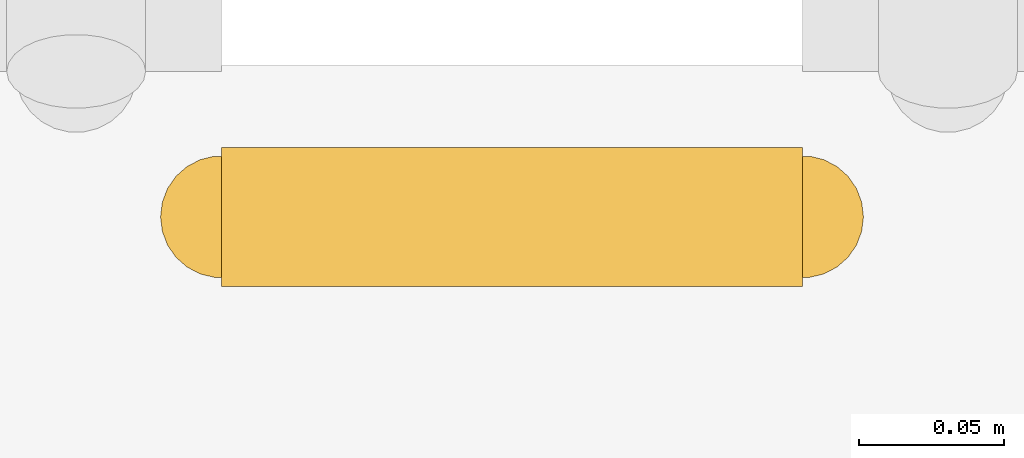
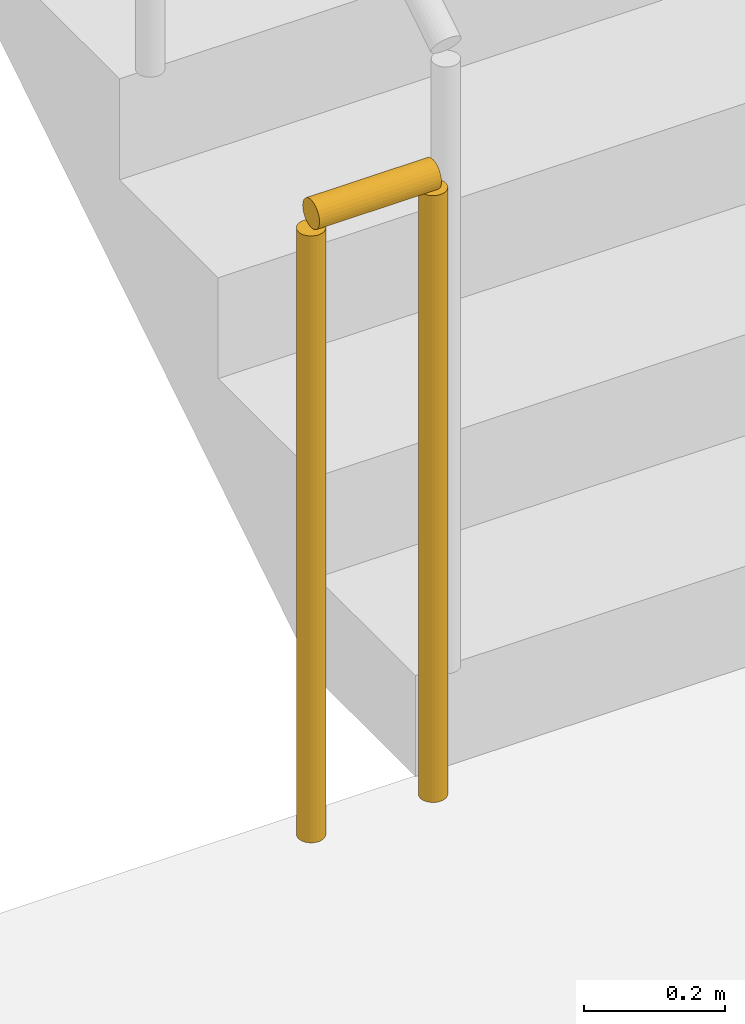
# One storey, part 10 of 21: 1 railing.
"""IFC4 building model written with IfcOpenShell, lengths in metres."""

from ifc_helpers import new_model, si_unit, direction, frame, origin, origin_2d, place, context, subcontext, project, spatial, circle, extrude, material, type_object, element, save


model = new_model("IFC4")

# Units and contexts
model_context = context("Model", 3, precision=1e-05, world=origin(), true_north=direction((0.0, 1.0)))
body_context = subcontext(model_context, "Body", "Model", "MODEL_VIEW")
ifc_project = project(units=[si_unit("LENGTHUNIT", "METRE"), si_unit("AREAUNIT", "SQUARE_METRE"), si_unit("VOLUMEUNIT", "CUBIC_METRE"), si_unit("PLANEANGLEUNIT", "RADIAN"), si_unit("MASSUNIT", "GRAM", prefix="KILO")], contexts=[model_context])

# Site, building, storey
site_placement = place(None, origin())
site = spatial("IfcSite", under=ifc_project, at=site_placement, CompositionType="ELEMENT")
building_placement = place(site_placement, origin())
building = spatial("IfcBuilding", under=site, at=building_placement, Name="Kiln Ring Residences", CompositionType="ELEMENT")
storey_placement = place(building_placement, frame((0.0, 0.0, 223.89990234375)))
storey = spatial("IfcBuildingStorey", under=building, at=storey_placement, Name="L58", CompositionType="ELEMENT", Elevation=223.89990234375)

# Railing
ifc_material = material(Name="Stainless steel", Category="steel")
railing_type = type_object("IfcRailingType", Name="CORE-STAIR-GUARD", PredefinedType="GUARDRAIL", material=ifc_material)
railing_placement = place(storey_placement, frame((-22.0, -8.449951171875, 0.0)))
element("IfcRailing", 1, at=railing_placement, inside=storey, type_object=railing_type, Name="L58 W-STS stair guard 4", PredefinedType="GUARDRAIL", context=body_context, shape_type="SweptSolid", body=[
    extrude(circle(Radius=0.02392578125, at=origin_2d()), frame((0.0, 0.0, 1.076171875), z_axis=(-1.0, 0.0, 0.0), x_axis=(0.0, -1.0, 0.0)), (0.0, 0.0, 1.0), 0.199951171875),
    extrude(circle(Radius=0.02099609375, at=origin_2d()), origin(), (0.0, 0.0, 1.0), 1.052001953125),
    extrude(circle(Radius=0.02099609375, at=origin_2d()), frame((-0.199951171875, 0.0, 0.0)), (0.0, 0.0, 1.0), 1.052001953125),
])

save(model, "model.ifc")
